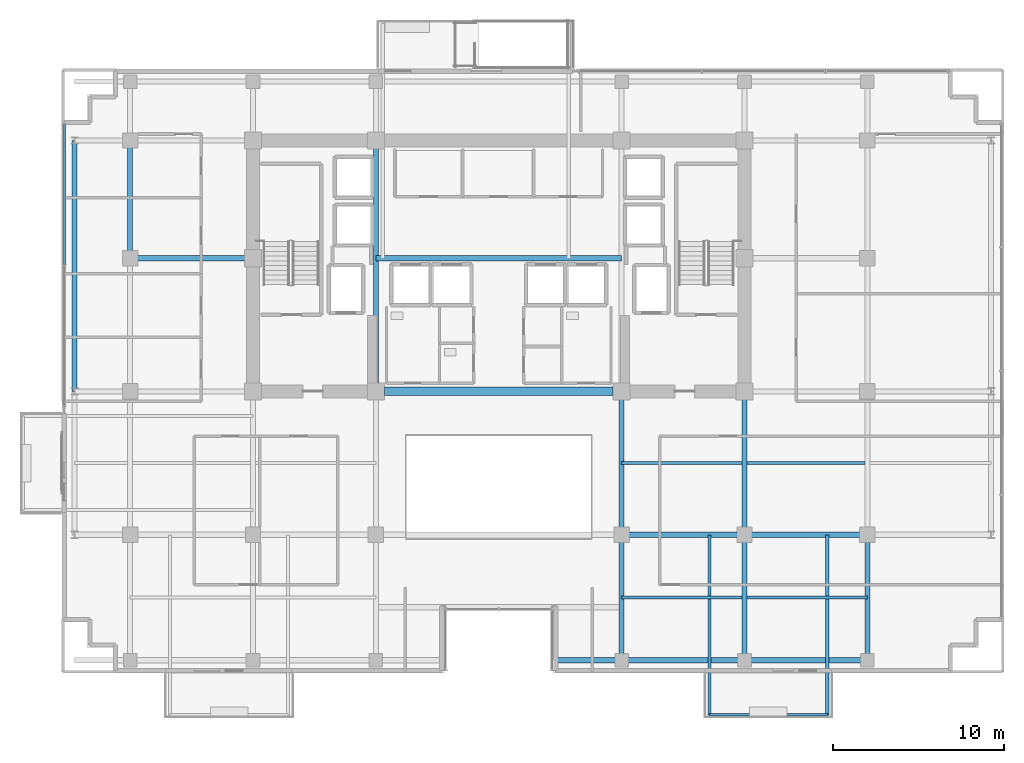
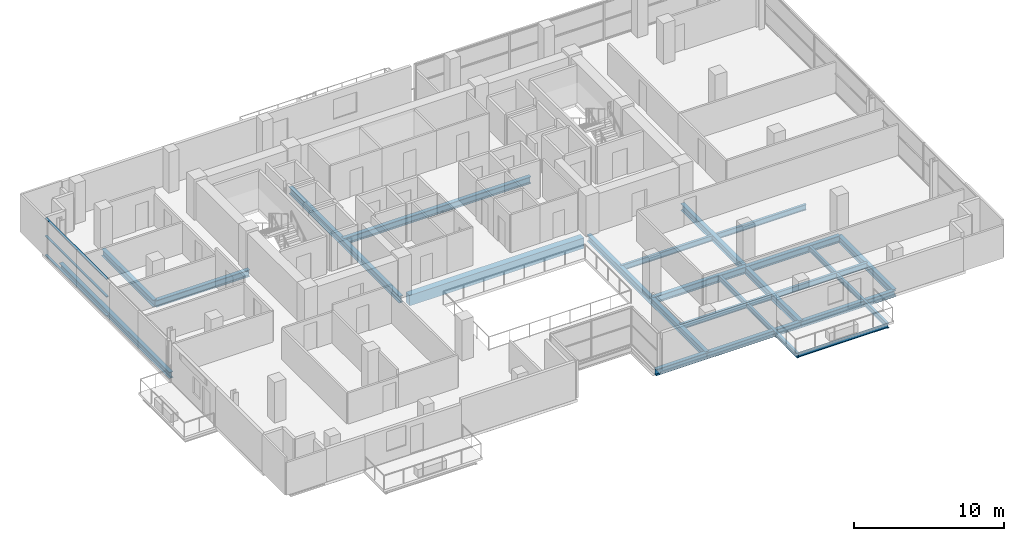
# One storey, part 6 of 23: 23 beams, 3 members, 1 element without a shape of its own.
"""IFC4 building model written with IfcOpenShell, lengths in metres."""

from ifc_helpers import new_model, si_unit, direction, frame, origin, origin_2d, place, context, subcontext, project, spatial, rectangle, hollow_rectangle, i_section, extrude, source, transform, mapped, material, layer, layer_set, material_profile, profile_set, type_object, element, aggregate, save


model = new_model("IFC4")

# Units and contexts
model_context = context("Model", 3, precision=1e-05, world=origin(), true_north=direction((0.0, 1.0)))
body_context = subcontext(model_context, "Body", "Model", "MODEL_VIEW")
ifc_project = project(units=[si_unit("LENGTHUNIT", "METRE"), si_unit("AREAUNIT", "SQUARE_METRE"), si_unit("VOLUMEUNIT", "CUBIC_METRE"), si_unit("PLANEANGLEUNIT", "RADIAN"), si_unit("MASSUNIT", "GRAM", prefix="KILO")], contexts=[model_context])

# Site, building, storey
site_placement = place(None, origin())
site = spatial("IfcSite", under=ifc_project, at=site_placement, CompositionType="ELEMENT")
building_placement = place(site_placement, origin())
building = spatial("IfcBuilding", under=site, at=building_placement, Name="Zarnakvel Exchange Tower", CompositionType="ELEMENT")
storey_placement = place(building_placement, frame((0.0, 0.0, 116.5)))
storey = spatial("IfcBuildingStorey", under=building, at=storey_placement, Name="L32", CompositionType="ELEMENT", Elevation=116.5)

# Beams
ifc_material_1 = material(Name="Steel S355", Category="steel")
ifc_material_profile_1 = material_profile(ifc_material_1, i_section(OverallWidth=0.18994140625, OverallDepth=0.449951171875, WebThickness=0.009521484375, FlangeThickness=0.0146484375, FilletRadius=0.02099609375, at=origin_2d()))
ifc_profile_set_1 = profile_set([ifc_material_profile_1], Name="Steel S355")
beam_type_1 = type_object("IfcBeamType", Name="B-05", PredefinedType="JOIST", material=ifc_profile_set_1)
for number, where, z_axis, x_axis, name in (
    (1, (7.199951171875, -13.27490234375, -0.449951171875), (1.0, 0.0, 0.0), (0.0, 1.0, 0.0), "L32 Composite Floor Secondary Joist"),
    (2, (14.550048828125, -13.27490234375, -0.449951171875), (1.0, 0.0, 0.0), (0.0, 1.0, 0.0), "L32 Composite Floor Secondary Joist"),
    (3, (7.199951171875, -5.39990234375, -0.449951171875), (1.0, 0.0, 0.0), (0.0, 1.0, 0.0), "L32 Composite Floor Secondary Joist"),
):
    element("IfcBeam", number, at=place(storey_placement, frame(where, z_axis=z_axis, x_axis=x_axis)), inside=storey, type_object=beam_type_1, Name=name, PredefinedType="JOIST", context=body_context, shape_type="SweptSolid", body=[
        extrude(i_section(OverallWidth=0.18994140625, OverallDepth=0.449951171875, WebThickness=0.009521484375, FlangeThickness=0.0146484375, FilletRadius=0.02099609375, at=origin_2d()), origin(), (0.0, 0.0, 1.0), 7.050048828125),
    ])
beam_1_placement = place(storey_placement, frame((14.550048828125, -5.39990234375, -0.449951171875), z_axis=(1.0, 0.0, 0.0), x_axis=(0.0, 1.0, 0.0)))
element("IfcBeam", 4, at=beam_1_placement, inside=storey, type_object=beam_type_1, Name="L32 Composite Floor Secondary Joist", PredefinedType="JOIST", context=body_context, shape_type="SweptSolid", body=[
    extrude(i_section(OverallWidth=0.18994140625, OverallDepth=0.449951171875, WebThickness=0.009521484375, FlangeThickness=0.0146484375, FilletRadius=0.02099609375, at=origin_2d()), origin(), (0.0, 0.0, 1.0), 6.89990234375),
])
ifc_material_profile_2 = material_profile(ifc_material_1, i_section(OverallWidth=0.179931640625, OverallDepth=0.39990234375, WebThickness=0.008544921875, FlangeThickness=0.013427734375, FilletRadius=0.02099609375, at=origin_2d()))
ifc_profile_set_2 = profile_set([ifc_material_profile_2], Name="Steel S355")
beam_type_2 = type_object("IfcBeamType", Name="B-06", PredefinedType="JOIST", material=ifc_profile_set_2)
for number, where, z_axis, x_axis, name in (
    (5, (12.35009765625, -9.60009765625, -0.425048828125), (0.0, -1.0, 0.0), (1.0, 0.0, 0.0), "L32 Continuous Back-Spanned Balcony Beam W"),
    (6, (19.25, -9.60009765625, -0.425048828125), (0.0, -1.0, 0.0), (1.0, 0.0, 0.0), "L32 Continuous Back-Spanned Balcony Beam E"),
):
    element("IfcBeam", number, at=place(storey_placement, frame(where, z_axis=z_axis, x_axis=x_axis)), inside=storey, type_object=beam_type_2, Name=name, PredefinedType="JOIST", context=body_context, shape_type="SweptSolid", body=[
        extrude(i_section(OverallWidth=0.179931640625, OverallDepth=0.39990234375, WebThickness=0.008544921875, FlangeThickness=0.013427734375, FilletRadius=0.02099609375, at=origin_2d()), origin(), (0.0, 0.0, 1.0), 10.5498046875),
    ])
ifc_material_profile_3 = material_profile(ifc_material_1, i_section(OverallWidth=0.14990234375, OverallDepth=0.300048828125, WebThickness=0.007080078125, FlangeThickness=0.0107421875, FilletRadius=0.014892578125, at=origin_2d()))
ifc_profile_set_3 = profile_set([ifc_material_profile_3], Name="Steel S355")
beam_type_3 = type_object("IfcBeamType", Name="B-08", PredefinedType="JOIST", material=ifc_profile_set_3)
beam_2_placement = place(storey_placement, frame((12.35009765625, -20.14990234375, -0.375), z_axis=(1.0, 0.0, 0.0), x_axis=(0.0, 1.0, 0.0)))
element("IfcBeam", 7, at=beam_2_placement, inside=storey, type_object=beam_type_3, Name="L32 Balcony Edge Beam", PredefinedType="JOIST", context=body_context, shape_type="SweptSolid", body=[
    extrude(i_section(OverallWidth=0.14990234375, OverallDepth=0.300048828125, WebThickness=0.007080078125, FlangeThickness=0.0107421875, FilletRadius=0.014892578125, at=origin_2d()), origin(), (0.0, 0.0, 1.0), 6.89990234375),
])
ifc_material_2 = material(Name="Concrete C60/75", Category="concrete")
ifc_material_profile_4 = material_profile(ifc_material_2, rectangle(XDim=0.5, YDim=0.85009765625, at=origin_2d()))
ifc_profile_set_4 = profile_set([ifc_material_profile_4], Name="Concrete C60/75")
beam_type_4 = type_object("IfcBeamType", Name="CB-02", PredefinedType="LINTEL", material=ifc_profile_set_4)
beam_3_placement = place(storey_placement, frame((-6.699951171875, -1.199951171875, -0.64990234375), z_axis=(1.0, 0.0, 0.0), x_axis=(0.0, 1.0, 0.0)))
element("IfcBeam", 8, at=beam_3_placement, inside=storey, type_object=beam_type_4, Name="L32 Rear Core South Coupling Beam (CB-02)", PredefinedType="LINTEL", context=body_context, shape_type="SweptSolid", body=[
    extrude(rectangle(XDim=0.5, YDim=0.85009765625, at=origin_2d()), origin(), (0.0, 0.0, 1.0), 13.39990234375),
])
ifc_material_profile_5 = material_profile(ifc_material_1, i_section(OverallWidth=0.300048828125, OverallDepth=0.550048828125, WebThickness=0.014892578125, FlangeThickness=0.029052734375, FilletRadius=0.027099609375, at=origin_2d()))
ifc_profile_set_5 = profile_set([ifc_material_profile_5], Name="Steel S355")
beam_type_5 = type_object("IfcBeamType", Name="G-05", PredefinedType="BEAM", material=ifc_profile_set_5)
beam_4_placement = place(storey_placement, frame((7.199951171875, -9.60009765625, -0.5), z_axis=(1.0, 0.0, 0.0), x_axis=(0.0, 1.0, 0.0)))
element("IfcBeam", 9, at=beam_4_placement, inside=storey, type_object=beam_type_5, Name="L32 Tower E-W Frame Beam", PredefinedType="BEAM", context=body_context, shape_type="SweptSolid", body=[
    extrude(i_section(OverallWidth=0.300048828125, OverallDepth=0.550048828125, WebThickness=0.014892578125, FlangeThickness=0.029052734375, FilletRadius=0.027099609375, at=origin_2d()), origin(), (0.0, 0.0, 1.0), 7.199951171875),
])
for number, where, z_axis, x_axis, name in (
    (10, (14.39990234375, -9.60009765625, -0.5), (1.0, 0.0, 0.0), (0.0, 1.0, 0.0), "L32 Tower E-W Frame Beam"),
    (11, (-21.60009765625, 6.60009765625, -0.5), (1.0, 0.0, 0.0), (0.0, 1.0, 0.0), "L32 Tower E-W Frame Beam"),
):
    element("IfcBeam", number, at=place(storey_placement, frame(where, z_axis=z_axis, x_axis=x_axis)), inside=storey, type_object=beam_type_5, Name=name, PredefinedType="BEAM", context=body_context, shape_type="SweptSolid", body=[
        extrude(i_section(OverallWidth=0.300048828125, OverallDepth=0.550048828125, WebThickness=0.014892578125, FlangeThickness=0.029052734375, FilletRadius=0.027099609375, at=origin_2d()), origin(), (0.0, 0.0, 1.0), 7.2001953125),
    ])
beam_5_placement = place(storey_placement, frame((-21.60009765625, 6.60009765625, -0.5), z_axis=(0.0, 1.0, 0.0), x_axis=(-1.0, 0.0, 0.0)))
element("IfcBeam", 12, at=beam_5_placement, inside=storey, type_object=beam_type_5, Name="L32 Tower N-S Frame Beam", PredefinedType="BEAM", context=body_context, shape_type="SweptSolid", body=[
    extrude(i_section(OverallWidth=0.300048828125, OverallDepth=0.550048828125, WebThickness=0.014892578125, FlangeThickness=0.029052734375, FilletRadius=0.027099609375, at=origin_2d()), origin(), (0.0, 0.0, 1.0), 6.89990234375),
])
beam_6_placement = place(storey_placement, frame((-7.199951171875, -1.199951171875, -0.5), z_axis=(0.0, 1.0, 0.0), x_axis=(-1.0, 0.0, 0.0)))
element("IfcBeam", 13, at=beam_6_placement, inside=storey, type_object=beam_type_5, Name="L32 Tower N-S Frame Beam", PredefinedType="BEAM", context=body_context, shape_type="SweptSolid", body=[
    extrude(i_section(OverallWidth=0.300048828125, OverallDepth=0.550048828125, WebThickness=0.014892578125, FlangeThickness=0.029052734375, FilletRadius=0.027099609375, at=origin_2d()), origin(), (0.0, 0.0, 1.0), 14.699951171875),
])
beam_7_placement = place(storey_placement, frame((7.199951171875, -16.949951171875, -0.5), z_axis=(0.0, 1.0, 0.0), x_axis=(-1.0, 0.0, 0.0)))
element("IfcBeam", 14, at=beam_7_placement, inside=storey, type_object=beam_type_5, Name="L32 Tower N-S Frame Beam", PredefinedType="BEAM", context=body_context, shape_type="SweptSolid", body=[
    extrude(i_section(OverallWidth=0.300048828125, OverallDepth=0.550048828125, WebThickness=0.014892578125, FlangeThickness=0.029052734375, FilletRadius=0.027099609375, at=origin_2d()), origin(), (0.0, 0.0, 1.0), 7.349853515625),
])
beam_8_placement = place(storey_placement, frame((7.199951171875, -9.60009765625, -0.5), z_axis=(0.0, 1.0, 0.0), x_axis=(-1.0, 0.0, 0.0)))
element("IfcBeam", 15, at=beam_8_placement, inside=storey, type_object=beam_type_5, Name="L32 Tower N-S Frame Beam", PredefinedType="BEAM", context=body_context, shape_type="SweptSolid", body=[
    extrude(i_section(OverallWidth=0.300048828125, OverallDepth=0.550048828125, WebThickness=0.014892578125, FlangeThickness=0.029052734375, FilletRadius=0.027099609375, at=origin_2d()), origin(), (0.0, 0.0, 1.0), 8.400146484375),
])
beam_9_placement = place(storey_placement, frame((14.39990234375, -16.949951171875, -0.5), z_axis=(0.0, 1.0, 0.0), x_axis=(-1.0, 0.0, 0.0)))
element("IfcBeam", 16, at=beam_9_placement, inside=storey, type_object=beam_type_5, Name="L32 Tower N-S Frame Beam", PredefinedType="BEAM", context=body_context, shape_type="SweptSolid", body=[
    extrude(i_section(OverallWidth=0.300048828125, OverallDepth=0.550048828125, WebThickness=0.014892578125, FlangeThickness=0.029052734375, FilletRadius=0.027099609375, at=origin_2d()), origin(), (0.0, 0.0, 1.0), 7.349853515625),
])
beam_10_placement = place(storey_placement, frame((14.39990234375, -9.60009765625, -0.5), z_axis=(0.0, 1.0, 0.0), x_axis=(-1.0, 0.0, 0.0)))
element("IfcBeam", 17, at=beam_10_placement, inside=storey, type_object=beam_type_5, Name="L32 Tower N-S Frame Beam", PredefinedType="BEAM", context=body_context, shape_type="SweptSolid", body=[
    extrude(i_section(OverallWidth=0.300048828125, OverallDepth=0.550048828125, WebThickness=0.014892578125, FlangeThickness=0.029052734375, FilletRadius=0.027099609375, at=origin_2d()), origin(), (0.0, 0.0, 1.0), 8.400146484375),
])
beam_11_placement = place(storey_placement, frame((21.60009765625, -16.949951171875, -0.5), z_axis=(0.0, 1.0, 0.0), x_axis=(-1.0, 0.0, 0.0)))
element("IfcBeam", 18, at=beam_11_placement, inside=storey, type_object=beam_type_5, Name="L32 Tower N-S Frame Beam", PredefinedType="BEAM", context=body_context, shape_type="SweptSolid", body=[
    extrude(i_section(OverallWidth=0.300048828125, OverallDepth=0.550048828125, WebThickness=0.014892578125, FlangeThickness=0.029052734375, FilletRadius=0.027099609375, at=origin_2d()), origin(), (0.0, 0.0, 1.0), 7.349853515625),
])
beam_12_placement = place(storey_placement, frame((-7.199951171875, 6.60009765625, -0.5), z_axis=(1.0, 0.0, 0.0), x_axis=(0.0, 1.0, 0.0)))
element("IfcBeam", 19, at=beam_12_placement, inside=storey, type_object=beam_type_5, Name="L32 Core Central Lobby Mid Girder", PredefinedType="BEAM", context=body_context, shape_type="SweptSolid", body=[
    extrude(i_section(OverallWidth=0.300048828125, OverallDepth=0.550048828125, WebThickness=0.014892578125, FlangeThickness=0.029052734375, FilletRadius=0.027099609375, at=origin_2d()), origin(), (0.0, 0.0, 1.0), 14.39990234375),
])
ifc_material_profile_6 = material_profile(ifc_material_1, i_section(OverallWidth=0.300048828125, OverallDepth=0.5, WebThickness=0.014404296875, FlangeThickness=0.028076171875, FilletRadius=0.027099609375, at=origin_2d()))
ifc_profile_set_6 = profile_set([ifc_material_profile_6], Name="Steel S355")
beam_type_6 = type_object("IfcBeamType", Name="SP-02", PredefinedType="SPANDREL", material=ifc_profile_set_6)
beam_13_placement = place(storey_placement, frame((3.199951171875, -16.949951171875, -0.47509765625), z_axis=(1.0, 0.0, 0.0), x_axis=(0.0, 1.0, 0.0)))
element("IfcBeam", 20, at=beam_13_placement, inside=storey, type_object=beam_type_6, Name="L32 South Slot East Jamb Spandrel", PredefinedType="SPANDREL", context=body_context, shape_type="SweptSolid", body=[
    extrude(i_section(OverallWidth=0.300048828125, OverallDepth=0.5, WebThickness=0.014404296875, FlangeThickness=0.028076171875, FilletRadius=0.027099609375, at=origin_2d()), origin(), (0.0, 0.0, 1.0), 4.0),
])
beam_14_placement = place(storey_placement, frame((7.199951171875, -16.949951171875, -0.47509765625), z_axis=(1.0, 0.0, 0.0), x_axis=(0.0, 1.0, 0.0)))
element("IfcBeam", 21, at=beam_14_placement, inside=storey, type_object=beam_type_6, Name="L32 Tower E-W Frame Beam", PredefinedType="SPANDREL", context=body_context, shape_type="SweptSolid", body=[
    extrude(i_section(OverallWidth=0.300048828125, OverallDepth=0.5, WebThickness=0.014404296875, FlangeThickness=0.028076171875, FilletRadius=0.027099609375, at=origin_2d()), origin(), (0.0, 0.0, 1.0), 7.199951171875),
])
beam_15_placement = place(storey_placement, frame((14.39990234375, -16.949951171875, -0.47509765625), z_axis=(1.0, 0.0, 0.0), x_axis=(0.0, 1.0, 0.0)))
element("IfcBeam", 22, at=beam_15_placement, inside=storey, type_object=beam_type_6, Name="L32 Tower E-W Frame Beam", PredefinedType="SPANDREL", context=body_context, shape_type="SweptSolid", body=[
    extrude(i_section(OverallWidth=0.300048828125, OverallDepth=0.5, WebThickness=0.014404296875, FlangeThickness=0.028076171875, FilletRadius=0.027099609375, at=origin_2d()), origin(), (0.0, 0.0, 1.0), 7.2001953125),
])
beam_16_placement = place(storey_placement, frame((-24.85009765625, -1.199951171875, -0.47509765625), z_axis=(0.0, 1.0, 0.0), x_axis=(-1.0, 0.0, 0.0)))
element("IfcBeam", 23, at=beam_16_placement, inside=storey, type_object=beam_type_6, Name="L32 Tower N-S Frame Beam", PredefinedType="SPANDREL", context=body_context, shape_type="SweptSolid", body=[
    extrude(i_section(OverallWidth=0.300048828125, OverallDepth=0.5, WebThickness=0.014404296875, FlangeThickness=0.028076171875, FilletRadius=0.027099609375, at=origin_2d()), origin(), (0.0, 0.0, 1.0), 14.699951171875),
])

# Curtain wall, members
ifc_material_3 = material(Name="Architectural Bronze Anodised Aluminium", Category="aluminium")
ifc_layer = layer(ifc_material_3, 0.199951171875)
ifc_layer_set = layer_set([ifc_layer], Name="Architectural Bronze Anodised Aluminium")
curtain_wall_type = type_object("IfcCurtainWallType", Name="CW-04", PredefinedType="NOTDEFINED", material=ifc_layer_set)
curtain_wall_placement = place(storey_placement, origin())
curtain_wall = element("IfcCurtainWall", 24, at=curtain_wall_placement, inside=storey, type_object=curtain_wall_type, Name="L32 Curtain Wall CW-L32-WN (CW-04)", PredefinedType="NOTDEFINED")
ifc_material_profile_7 = material_profile(ifc_material_3, hollow_rectangle(XDim=0.159912109375, YDim=0.074951171875, WallThickness=0.00390625, at=origin_2d()))
ifc_profile_set_7 = profile_set([ifc_material_profile_7], Name="Architectural Bronze Anodised Aluminium")
member_type = type_object("IfcMemberType", Name="CWT-04", PredefinedType="USERDEFINED", material=ifc_profile_set_7)
shared_shape = source(origin(), body_context, "Body", "SweptSolid", [
    extrude(hollow_rectangle(XDim=0.159912109375, YDim=0.074951171875, WallThickness=0.00390625, at=origin_2d()), origin(), (0.0, 0.0, 1.0), 8.1875),
])
member_1_placement = place(storey_placement, frame((-25.4599609375, 6.237548828125, 0.03759765625), z_axis=(0.0, 1.0, 0.0), x_axis=(-1.0, 0.0, 0.0)))
member_1 = element("IfcMember", 25, at=member_1_placement, type_object=member_type, Name="CW-04 transom 2.1", ObjectType="TRANSOM", PredefinedType="USERDEFINED", context=body_context, shape_type="MappedRepresentation", body=[
    mapped(shared_shape, transform((0.0, 0.0, 0.0), x_axis=(1.0, 0.0, 0.0), y_axis=(0.0, 1.0, 0.0), z_axis=(0.0, 0.0, 1.0), scale=1.0)),
])
member_2_placement = place(storey_placement, frame((-25.4599609375, 6.237548828125, 1.588623046875), z_axis=(0.0, 1.0, 0.0), x_axis=(-1.0, 0.0, 0.0)))
member_2 = element("IfcMember", 26, at=member_2_placement, type_object=member_type, Name="CW-04 transom 2.2", ObjectType="TRANSOM", PredefinedType="USERDEFINED", context=body_context, shape_type="MappedRepresentation", body=[
    mapped(shared_shape, transform((0.0, 0.0, 0.0), x_axis=(1.0, 0.0, 0.0), y_axis=(0.0, 1.0, 0.0), z_axis=(0.0, 0.0, 1.0), scale=1.0)),
])
member_3_placement = place(storey_placement, frame((-25.4599609375, 6.237548828125, 3.017578125), z_axis=(0.0, 1.0, 0.0), x_axis=(-1.0, 0.0, 0.0)))
member_3 = element("IfcMember", 27, at=member_3_placement, type_object=member_type, Name="CW-04 transom 2.3", ObjectType="TRANSOM", PredefinedType="USERDEFINED", context=body_context, shape_type="MappedRepresentation", body=[
    mapped(shared_shape, transform((0.0, 0.0, 0.0), x_axis=(1.0, 0.0, 0.0), y_axis=(0.0, 1.0, 0.0), z_axis=(0.0, 0.0, 1.0), scale=1.0)),
])
aggregate(curtain_wall, [member_1, member_2, member_3])

save(model, "model.ifc")
